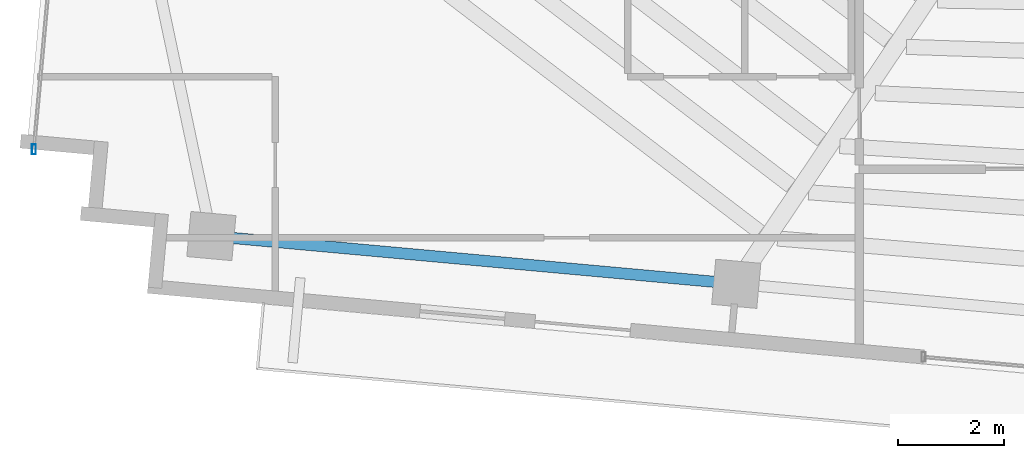
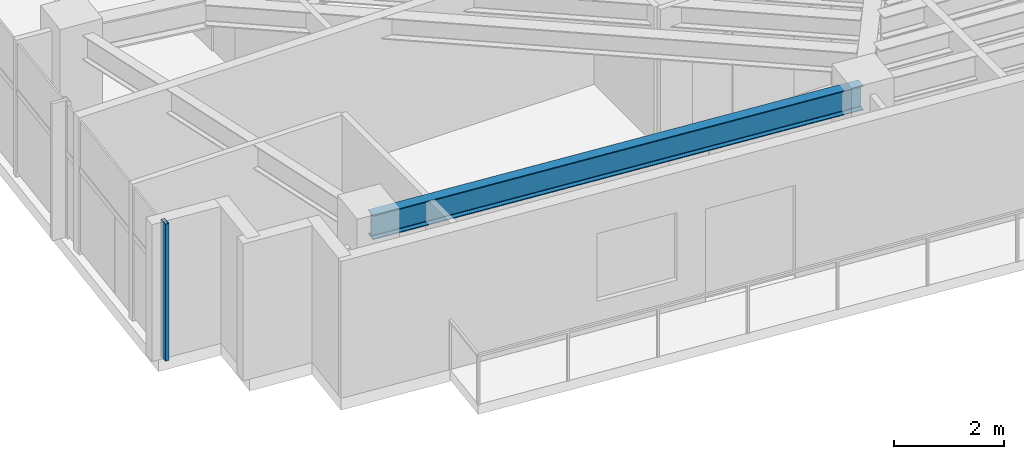
# One storey, part 2 of 22: 1 beam, 1 member, 1 element without a shape of its own.
"""IFC4 building model written with IfcOpenShell, lengths in metres."""

from ifc_helpers import new_model, si_unit, direction, frame, origin, origin_2d, place, context, subcontext, project, spatial, hollow_rectangle, i_section, extrude, source, transform, mapped, material, material_profile, profile_set, type_object, type_shapes, element, aggregate, save


model = new_model("IFC4")

# Units and contexts
model_context = context("Model", 3, precision=1e-05, world=origin(), true_north=direction((0.0, 1.0)))
body_context = subcontext(model_context, "Body", "Model", "MODEL_VIEW")
ifc_project = project(units=[si_unit("LENGTHUNIT", "METRE"), si_unit("AREAUNIT", "SQUARE_METRE"), si_unit("VOLUMEUNIT", "CUBIC_METRE"), si_unit("PLANEANGLEUNIT", "RADIAN"), si_unit("MASSUNIT", "GRAM", prefix="KILO")], contexts=[model_context])

# Site, building, storey
site_placement = place(None, origin())
site = spatial("IfcSite", under=ifc_project, at=site_placement, CompositionType="ELEMENT")
building_placement = place(site_placement, origin())
building = spatial("IfcBuilding", under=site, at=building_placement, Name="Astriad Promenade Condominiums", CompositionType="ELEMENT")
storey_placement = place(building_placement, frame((0.0, 0.0, 229.800048828125)))
storey = spatial("IfcBuildingStorey", under=building, at=storey_placement, Name="L66", CompositionType="ELEMENT", Elevation=229.800048828125)

# Beam
ifc_material_1 = material(Name="Steel ASTM A992 Grade 50", Category="steel")
ifc_material_profile_1 = material_profile(ifc_material_1, i_section(OverallWidth=0.210693359375, OverallDepth=0.53955078125, WebThickness=0.01171875, FlangeThickness=0.018798828125, FilletRadius=0.0166015625, at=origin_2d()), Name="W21X73")
ifc_profile_set_1 = profile_set([ifc_material_profile_1], Name="Steel ASTM A992 Grade 50")
beam_type = type_object("IfcBeamType", Name="STEEL SPANDREL BEAM W21X73", PredefinedType="SPANDREL", material=ifc_profile_set_1)
shared_shape_1 = source(origin(), body_context, "Body", "SweptSolid", [
    extrude(i_section(OverallWidth=0.210693359375, OverallDepth=0.53955078125, WebThickness=0.01171875, FlangeThickness=0.018798828125, FilletRadius=0.0166015625, at=origin_2d()), origin(), (0.0, 0.0, 1.0), 9.8203125),
])
type_shapes(beam_type, [shared_shape_1])
beam_placement = place(storey_placement, frame((12.421630859375, 12.102783203125, 2.770263671875), z_axis=(0.995883419264, -0.090643340822, 0.0), x_axis=(0.090643340822, 0.995883419264, 0.0)))
element("IfcBeam", 1, at=beam_placement, inside=storey, type_object=beam_type, Name="Perimeter Spandrel Beam SP-S1-L66", PredefinedType="SPANDREL", context=body_context, shape_type="MappedRepresentation", body=[
    mapped(shared_shape_1, transform((0.0, 0.0, 0.0), scale=1.0)),
])

# Curtain wall, member
ifc_material_2 = material(Name="Anodised aluminium Black Dark Glass Unitised", Category="aluminium")
curtain_wall_type = type_object("IfcCurtainWallType", Name="CW-B5-DARK", PredefinedType="USERDEFINED", material=ifc_material_2)
curtain_wall_placement = place(storey_placement, origin())
curtain_wall = element("IfcCurtainWall", 2, at=curtain_wall_placement, inside=storey, type_object=curtain_wall_type, Name="CW-L66-W", ObjectType="UNITISED_CURTAIN_WALL", PredefinedType="USERDEFINED")
ifc_material_3 = material(Name="Anodised aluminium 6063-T6 Black", Category="aluminium")
ifc_material_profile_2 = material_profile(ifc_material_3, hollow_rectangle(XDim=0.074951171875, YDim=0.18505859375, WallThickness=0.00439453125, at=origin_2d()), Name="ALU-MUL-75X185")
ifc_profile_set_2 = profile_set([ifc_material_profile_2], Name="Anodised aluminium 6063-T6 Black")
member_type = type_object("IfcMemberType", Name="MUL-ALU-MUL-75X185", PredefinedType="MULLION", material=ifc_profile_set_2)
shared_shape_2 = source(origin(), body_context, "Body", "SweptSolid", [
    extrude(hollow_rectangle(XDim=0.074951171875, YDim=0.18505859375, WallThickness=0.00439453125, at=origin_2d()), origin(), (0.0, 0.0, 1.0), 3.0400390625),
])
type_shapes(member_type, [shared_shape_2])
member_placement = place(storey_placement, frame((9.0458984375, 13.7353515625, 0.0), z_axis=(0.0, 0.0, 1.0), x_axis=(1.0, 0.0, 0.0)))
member = element("IfcMember", 3, at=member_placement, type_object=member_type, Name="CW-L66-W-MUL-00", PredefinedType="MULLION", context=body_context, shape_type="MappedRepresentation", body=[
    mapped(shared_shape_2, transform((0.0, 0.0, 0.0), scale=1.0)),
])
aggregate(curtain_wall, [member])

save(model, "model.ifc")
